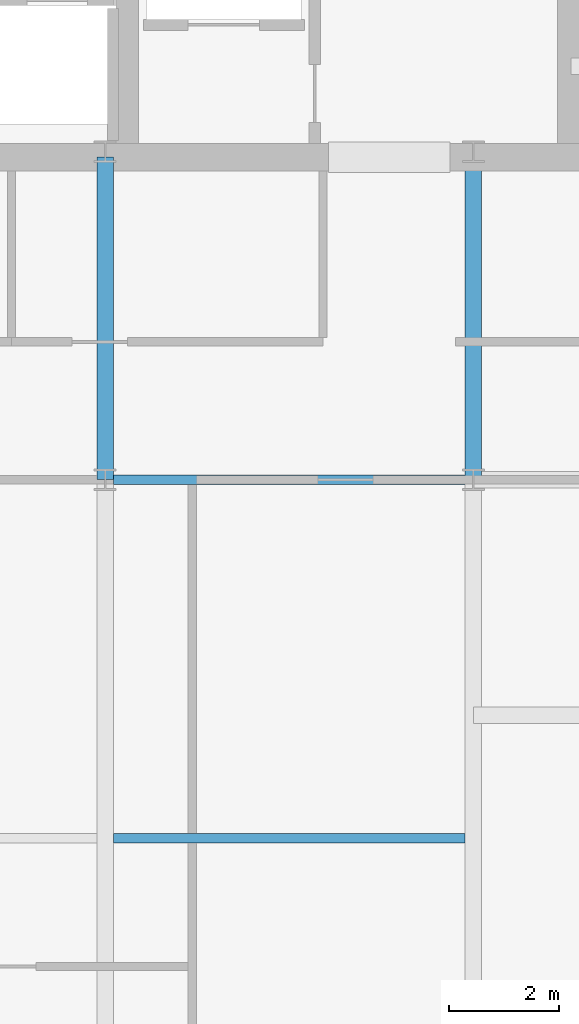
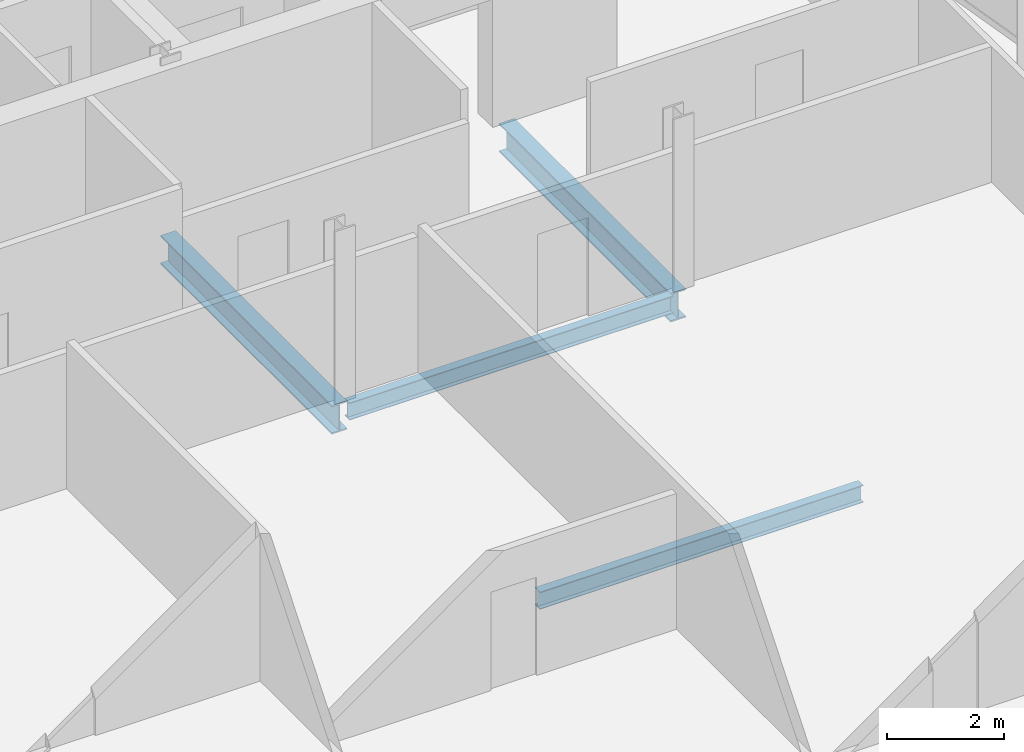
# One storey, part 16 of 29: 4 beams.
"""IFC4 building model written with IfcOpenShell, lengths in metres."""

from ifc_helpers import new_model, si_unit, direction, frame, origin, origin_2d, place, context, subcontext, project, spatial, i_section, extrude, material, material_profile, profile_set, type_object, element, save


model = new_model("IFC4")

# Units and contexts
model_context = context("Model", 3, precision=1e-05, world=origin(), true_north=direction((0.0, 1.0)))
body_context = subcontext(model_context, "Body", "Model", "MODEL_VIEW")
ifc_project = project(units=[si_unit("LENGTHUNIT", "METRE"), si_unit("AREAUNIT", "SQUARE_METRE"), si_unit("VOLUMEUNIT", "CUBIC_METRE"), si_unit("PLANEANGLEUNIT", "RADIAN"), si_unit("MASSUNIT", "GRAM", prefix="KILO")], contexts=[model_context])

# Site, building, storey
site_placement = place(None, origin())
site = spatial("IfcSite", under=ifc_project, at=site_placement, CompositionType="ELEMENT")
building_placement = place(site_placement, origin())
building = spatial("IfcBuilding", under=site, at=building_placement, Name="Khoronbel Lancet Exchange", CompositionType="ELEMENT")
storey_placement = place(building_placement, frame((0.0, 0.0, 314.60009765625)))
storey = spatial("IfcBuildingStorey", under=building, at=storey_placement, Name="L81", CompositionType="ELEMENT", Elevation=314.60009765625)

# Beams
ifc_material = material(Name="Steel S355", Category="steel")
ifc_material_profile_1 = material_profile(ifc_material, i_section(OverallWidth=0.300048828125, OverallDepth=0.60009765625, WebThickness=0.015380859375, FlangeThickness=0.030029296875, at=origin_2d()), Name="HEB 600")
ifc_profile_set_1 = profile_set([ifc_material_profile_1], Name="Steel S355")
beam_type_1 = type_object("IfcBeamType", Name="BM-BG5", PredefinedType="BEAM", material=ifc_profile_set_1)
for number, where, z_axis, x_axis, name in (
    (1, (48.0, 35.699951171875, -0.460205078125), (0.0, 1.0, 0.0), (-1.0, 0.0, 0.0), "Level L81 spine tie girder GN5"),
    (2, (54.675048828125, 35.699951171875, -0.460205078125), (0.0, 1.0, 0.0), (-1.0, 0.0, 0.0), "Level L81 spine tie girder GN6"),
):
    element("IfcBeam", number, at=place(storey_placement, frame(where, z_axis=z_axis, x_axis=x_axis)), inside=storey, type_object=beam_type_1, Name=name, PredefinedType="BEAM", context=body_context, shape_type="SweptSolid", body=[
        extrude(i_section(OverallWidth=0.300048828125, OverallDepth=0.60009765625, WebThickness=0.015380859375, FlangeThickness=0.030029296875, at=origin_2d()), origin(), (0.0, 0.0, 1.0), 5.85009765625),
    ])
ifc_material_profile_2 = material_profile(ifc_material, i_section(OverallWidth=0.169921875, OverallDepth=0.360107421875, WebThickness=0.008056640625, FlangeThickness=0.0126953125, at=origin_2d()), Name="IPE 360")
ifc_profile_set_2 = profile_set([ifc_material_profile_2], Name="Steel S355")
beam_type_2 = type_object("IfcBeamType", Name="BM-BJ6", PredefinedType="JOIST", material=ifc_profile_set_2)
for number, where, z_axis, x_axis, name in (
    (3, (48.14990234375, 29.199951171875, -0.340087890625), (1.0, 0.0, 0.0), (0.0, 1.0, 0.0), "Level L81 secondary composite joist J09"),
    (4, (48.14990234375, 35.699951171875, -0.340087890625), (1.0, 0.0, 0.0), (0.0, 1.0, 0.0), "Level L81 secondary composite joist J11"),
):
    element("IfcBeam", number, at=place(storey_placement, frame(where, z_axis=z_axis, x_axis=x_axis)), inside=storey, type_object=beam_type_2, Name=name, PredefinedType="JOIST", context=body_context, shape_type="SweptSolid", body=[
        extrude(i_section(OverallWidth=0.169921875, OverallDepth=0.360107421875, WebThickness=0.008056640625, FlangeThickness=0.0126953125, at=origin_2d()), origin(), (0.0, 0.0, 1.0), 6.375),
    ])

save(model, "model.ifc")
